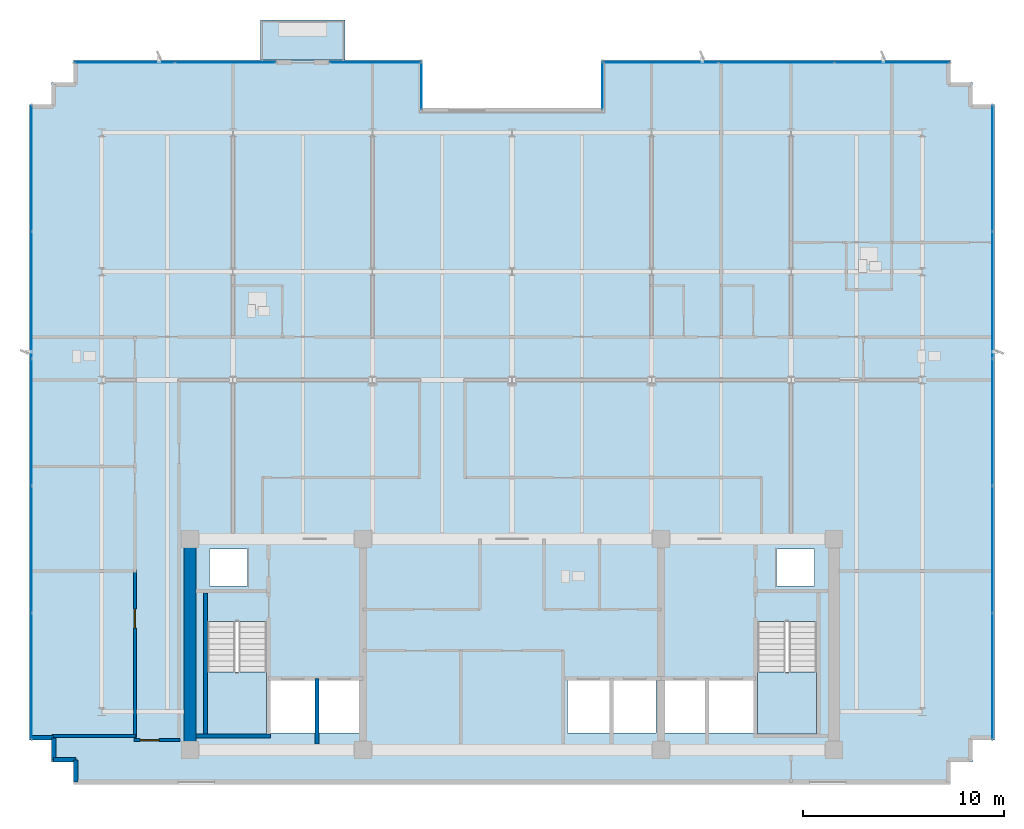
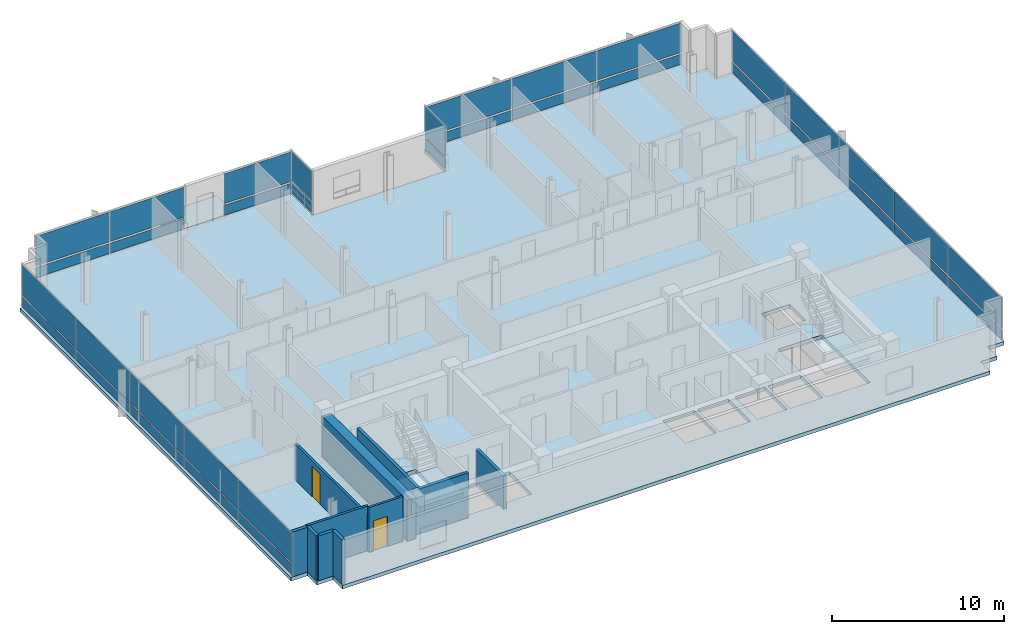
# One storey, part 10 of 17: 36 plates, 11 walls, 4 slabs, 2 doors, 2 openings, 9 elements without a shape of their own.
"""IFC4 building model written with IfcOpenShell, lengths in metres."""

from ifc_helpers import new_model, si_unit, direction, frame, frame_2d, origin, origin_2d, place, context, subcontext, project, spatial, polyline, rectangle, outline, extrude, material, layer, layer_set, type_object, element, fill, aggregate, save


model = new_model("IFC4")

# Units and contexts
model_context = context("Model", 3, precision=1e-05, world=origin(), true_north=direction((0.0, 1.0)))
body_context = subcontext(model_context, "Body", "Model", "MODEL_VIEW")
ifc_project = project(units=[si_unit("LENGTHUNIT", "METRE"), si_unit("AREAUNIT", "SQUARE_METRE"), si_unit("VOLUMEUNIT", "CUBIC_METRE"), si_unit("PLANEANGLEUNIT", "RADIAN"), si_unit("MASSUNIT", "GRAM", prefix="KILO")], contexts=[model_context])

# Site, building, storey
site_placement = place(None, origin())
site = spatial("IfcSite", under=ifc_project, at=site_placement, CompositionType="ELEMENT")
building_placement = place(site_placement, origin())
building = spatial("IfcBuilding", under=site, at=building_placement, Name="Solmavex Isthmus Hotel", CompositionType="ELEMENT")
storey_placement = place(building_placement, frame((0.0, 0.0, 269.550048828125)))
storey = spatial("IfcBuildingStorey", under=building, at=storey_placement, Name="L73", CompositionType="ELEMENT", Elevation=269.550048828125)

# Curtain wall, plates
ifc_material_1 = material(Name="Aluminium alloy 6063-T6", Category="aluminium")
curtain_wall_type = type_object("IfcCurtainWallType", Name="CW-SYS-06", PredefinedType="NOTDEFINED", material=ifc_material_1)
curtain_wall_1_placement = place(storey_placement, origin())
curtain_wall_1 = element("IfcCurtainWall", 1, at=curtain_wall_1_placement, inside=storey, type_object=curtain_wall_type, Name="Stick Curtain Wall CWL-L73-SGW", PredefinedType="NOTDEFINED")
ifc_material_2 = material(Name="Clear low-E laminated glass", Category="glass")
ifc_layer_1 = layer(ifc_material_2, 0.028076171875)
ifc_layer_set_1 = layer_set([ifc_layer_1], Name="Clear low-E laminated glass")
plate_type = type_object("IfcPlateType", Name="CW-SYS-06-PNL", PredefinedType="CURTAIN_PANEL", material=ifc_layer_set_1)
plate_1_placement = place(storey_placement, frame((-4.5, 20.0400390625, 0.114990234375), z_axis=(0.0, 0.0, 1.0), x_axis=(0.0, 1.0, 0.0)))
plate_1 = element("IfcPlate", 2, at=plate_1_placement, type_object=plate_type, Name="CW-06 panel 1.1", PredefinedType="CURTAIN_PANEL", context=body_context, shape_type="SweptSolid", body=[
    extrude(rectangle(XDim=2.360107421875, YDim=0.028076171875, at=origin_2d()), origin(), (0.0, 0.0, 1.0), 0.7275390625),
])
plate_2_placement = place(storey_placement, frame((-4.5, 20.0400390625, 0.95751953125), z_axis=(0.0, 0.0, 1.0), x_axis=(0.0, 1.0, 0.0)))
plate_2 = element("IfcPlate", 3, at=plate_2_placement, type_object=plate_type, Name="CW-06 panel 1.2", PredefinedType="CURTAIN_PANEL", context=body_context, shape_type="SweptSolid", body=[
    extrude(rectangle(XDim=2.360107421875, YDim=0.028076171875, at=origin_2d()), origin(), (0.0, 0.0, 1.0), 2.117431640625),
])
aggregate(curtain_wall_1, [plate_1, plate_2])

curtain_wall_2_placement = place(storey_placement, origin())
curtain_wall_2 = element("IfcCurtainWall", 4, at=curtain_wall_2_placement, inside=storey, type_object=curtain_wall_type, Name="Stick Curtain Wall CWL-L73-SGE", PredefinedType="NOTDEFINED")
plate_3_placement = place(storey_placement, frame((4.5, 20.0400390625, 0.114990234375), z_axis=(0.0, 0.0, 1.0), x_axis=(0.0, 1.0, 0.0)))
plate_3 = element("IfcPlate", 5, at=plate_3_placement, type_object=plate_type, Name="CW-06 panel 1.1", PredefinedType="CURTAIN_PANEL", context=body_context, shape_type="SweptSolid", body=[
    extrude(rectangle(XDim=2.360107421875, YDim=0.028076171875, at=origin_2d()), origin(), (0.0, 0.0, 1.0), 0.7275390625),
])
plate_4_placement = place(storey_placement, frame((4.5, 20.0400390625, 0.95751953125), z_axis=(0.0, 0.0, 1.0), x_axis=(0.0, 1.0, 0.0)))
plate_4 = element("IfcPlate", 6, at=plate_4_placement, type_object=plate_type, Name="CW-06 panel 1.2", PredefinedType="CURTAIN_PANEL", context=body_context, shape_type="SweptSolid", body=[
    extrude(rectangle(XDim=2.360107421875, YDim=0.028076171875, at=origin_2d()), origin(), (0.0, 0.0, 1.0), 2.117431640625),
])
aggregate(curtain_wall_2, [plate_3, plate_4])

curtain_wall_3_placement = place(storey_placement, origin())
curtain_wall_3 = element("IfcCurtainWall", 7, at=curtain_wall_3_placement, inside=storey, type_object=curtain_wall_type, Name="Stick Curtain Wall CWL-L73-N1", PredefinedType="NOTDEFINED")
plate_5_placement = place(storey_placement, frame((-19.260986328125, 21.179931640625, 0.114990234375), z_axis=(0.0, 0.0, 1.0), x_axis=(1.0, 0.0, 0.0)))
plate_5 = element("IfcPlate", 8, at=plate_5_placement, type_object=plate_type, Name="CW-06 panel 1.1", PredefinedType="CURTAIN_PANEL", context=body_context, shape_type="SweptSolid", body=[
    extrude(rectangle(XDim=4.9580078125, YDim=0.028076171875, at=origin_2d()), origin(), (0.0, 0.0, 1.0), 0.7275390625),
])
plate_6_placement = place(storey_placement, frame((-19.260986328125, 21.179931640625, 0.95751953125), z_axis=(0.0, 0.0, 1.0), x_axis=(1.0, 0.0, 0.0)))
plate_6 = element("IfcPlate", 9, at=plate_6_placement, type_object=plate_type, Name="CW-06 panel 1.2", PredefinedType="CURTAIN_PANEL", context=body_context, shape_type="SweptSolid", body=[
    extrude(rectangle(XDim=4.9580078125, YDim=0.028076171875, at=origin_2d()), origin(), (0.0, 0.0, 1.0), 2.117431640625),
])
plate_7_placement = place(storey_placement, frame((-14.242919921875, 21.179931640625, 0.114990234375), z_axis=(0.0, 0.0, 1.0), x_axis=(1.0, 0.0, 0.0)))
plate_7 = element("IfcPlate", 10, at=plate_7_placement, type_object=plate_type, Name="CW-06 panel 2.1", PredefinedType="CURTAIN_PANEL", context=body_context, shape_type="SweptSolid", body=[
    extrude(rectangle(XDim=4.9580078125, YDim=0.028076171875, at=origin_2d()), origin(), (0.0, 0.0, 1.0), 0.7275390625),
])
plate_8_placement = place(storey_placement, frame((-14.242919921875, 21.179931640625, 0.95751953125), z_axis=(0.0, 0.0, 1.0), x_axis=(1.0, 0.0, 0.0)))
plate_8 = element("IfcPlate", 11, at=plate_8_placement, type_object=plate_type, Name="CW-06 panel 2.2", PredefinedType="CURTAIN_PANEL", context=body_context, shape_type="SweptSolid", body=[
    extrude(rectangle(XDim=4.9580078125, YDim=0.028076171875, at=origin_2d()), origin(), (0.0, 0.0, 1.0), 2.117431640625),
])
aggregate(curtain_wall_3, [plate_5, plate_6, plate_7, plate_8])

curtain_wall_4_placement = place(storey_placement, origin())
curtain_wall_4 = element("IfcCurtainWall", 12, at=curtain_wall_4_placement, inside=storey, type_object=curtain_wall_type, Name="Stick Curtain Wall CWL-L73-N2", PredefinedType="NOTDEFINED")
plate_9_placement = place(storey_placement, frame((-6.802001953125, 21.179931640625, 0.114990234375), z_axis=(0.0, 0.0, 1.0), x_axis=(1.0, 0.0, 0.0)))
plate_9 = element("IfcPlate", 13, at=plate_9_placement, type_object=plate_type, Name="CW-06 panel 1.1", PredefinedType="CURTAIN_PANEL", context=body_context, shape_type="SweptSolid", body=[
    extrude(rectangle(XDim=4.48388671875, YDim=0.028076171875, at=origin_2d()), origin(), (0.0, 0.0, 1.0), 0.7275390625),
])
plate_10_placement = place(storey_placement, frame((-6.802001953125, 21.179931640625, 0.95751953125), z_axis=(0.0, 0.0, 1.0), x_axis=(1.0, 0.0, 0.0)))
plate_10 = element("IfcPlate", 14, at=plate_10_placement, type_object=plate_type, Name="CW-06 panel 1.2", PredefinedType="CURTAIN_PANEL", context=body_context, shape_type="SweptSolid", body=[
    extrude(rectangle(XDim=4.48388671875, YDim=0.028076171875, at=origin_2d()), origin(), (0.0, 0.0, 1.0), 2.117431640625),
])
aggregate(curtain_wall_4, [plate_9, plate_10])

curtain_wall_5_placement = place(storey_placement, origin())
curtain_wall_5 = element("IfcCurtainWall", 15, at=curtain_wall_5_placement, inside=storey, type_object=curtain_wall_type, Name="Stick Curtain Wall CWL-L73-N3", PredefinedType="NOTDEFINED")
plate_11_placement = place(storey_placement, frame((7.3984375, 21.179931640625, 0.114990234375), z_axis=(0.0, 0.0, 1.0), x_axis=(1.0, 0.0, 0.0)))
plate_11 = element("IfcPlate", 16, at=plate_11_placement, type_object=plate_type, Name="CW-06 panel 1.1", PredefinedType="CURTAIN_PANEL", context=body_context, shape_type="SweptSolid", body=[
    extrude(rectangle(XDim=5.6767578125, YDim=0.028076171875, at=origin_2d()), origin(), (0.0, 0.0, 1.0), 0.7275390625),
])
plate_12_placement = place(storey_placement, frame((7.3984375, 21.179931640625, 0.95751953125), z_axis=(0.0, 0.0, 1.0), x_axis=(1.0, 0.0, 0.0)))
plate_12 = element("IfcPlate", 17, at=plate_12_placement, type_object=plate_type, Name="CW-06 panel 1.2", PredefinedType="CURTAIN_PANEL", context=body_context, shape_type="SweptSolid", body=[
    extrude(rectangle(XDim=5.6767578125, YDim=0.028076171875, at=origin_2d()), origin(), (0.0, 0.0, 1.0), 2.117431640625),
])
plate_13_placement = place(storey_placement, frame((13.14990234375, 21.179931640625, 0.114990234375), z_axis=(0.0, 0.0, 1.0), x_axis=(1.0, 0.0, 0.0)))
plate_13 = element("IfcPlate", 18, at=plate_13_placement, type_object=plate_type, Name="CW-06 panel 2.1", PredefinedType="CURTAIN_PANEL", context=body_context, shape_type="SweptSolid", body=[
    extrude(rectangle(XDim=5.706787109375, YDim=0.028076171875, at=origin_2d()), origin(), (0.0, 0.0, 1.0), 0.7275390625),
])
plate_14_placement = place(storey_placement, frame((13.14990234375, 21.179931640625, 0.95751953125), z_axis=(0.0, 0.0, 1.0), x_axis=(1.0, 0.0, 0.0)))
plate_14 = element("IfcPlate", 19, at=plate_14_placement, type_object=plate_type, Name="CW-06 panel 2.2", PredefinedType="CURTAIN_PANEL", context=body_context, shape_type="SweptSolid", body=[
    extrude(rectangle(XDim=5.706787109375, YDim=0.028076171875, at=origin_2d()), origin(), (0.0, 0.0, 1.0), 2.117431640625),
])
plate_15_placement = place(storey_placement, frame((18.901611328125, 21.179931640625, 0.114990234375), z_axis=(0.0, 0.0, 1.0), x_axis=(1.0, 0.0, 0.0)))
plate_15 = element("IfcPlate", 20, at=plate_15_placement, type_object=plate_type, Name="CW-06 panel 3.1", PredefinedType="CURTAIN_PANEL", context=body_context, shape_type="SweptSolid", body=[
    extrude(rectangle(XDim=5.6767578125, YDim=0.028076171875, at=origin_2d()), origin(), (0.0, 0.0, 1.0), 0.7275390625),
])
plate_16_placement = place(storey_placement, frame((18.901611328125, 21.179931640625, 0.95751953125), z_axis=(0.0, 0.0, 1.0), x_axis=(1.0, 0.0, 0.0)))
plate_16 = element("IfcPlate", 21, at=plate_16_placement, type_object=plate_type, Name="CW-06 panel 3.2", PredefinedType="CURTAIN_PANEL", context=body_context, shape_type="SweptSolid", body=[
    extrude(rectangle(XDim=5.6767578125, YDim=0.028076171875, at=origin_2d()), origin(), (0.0, 0.0, 1.0), 2.117431640625),
])
aggregate(curtain_wall_5, [plate_11, plate_12, plate_13, plate_14, plate_15, plate_16])

curtain_wall_6_placement = place(storey_placement, origin())
curtain_wall_6 = element("IfcCurtainWall", 22, at=curtain_wall_6_placement, inside=storey, type_object=curtain_wall_type, Name="Stick Curtain Wall CWL-L73-W1", PredefinedType="NOTDEFINED")
plate_17_placement = place(storey_placement, frame((-23.8798828125, -9.324951171875, 0.114990234375), z_axis=(0.0, 0.0, 1.0), x_axis=(0.0, 1.0, 0.0)))
plate_17 = element("IfcPlate", 23, at=plate_17_placement, type_object=plate_type, Name="CW-06 panel 1.1", PredefinedType="CURTAIN_PANEL", context=body_context, shape_type="SweptSolid", body=[
    extrude(rectangle(XDim=6.22998046875, YDim=0.028076171875, at=origin_2d()), origin(), (0.0, 0.0, 1.0), 0.7275390625),
])
plate_18_placement = place(storey_placement, frame((-23.8798828125, -9.324951171875, 0.95751953125), z_axis=(0.0, 0.0, 1.0), x_axis=(0.0, 1.0, 0.0)))
plate_18 = element("IfcPlate", 24, at=plate_18_placement, type_object=plate_type, Name="CW-06 panel 1.2", PredefinedType="CURTAIN_PANEL", context=body_context, shape_type="SweptSolid", body=[
    extrude(rectangle(XDim=6.22998046875, YDim=0.028076171875, at=origin_2d()), origin(), (0.0, 0.0, 1.0), 2.117431640625),
])
plate_19_placement = place(storey_placement, frame((-23.8798828125, -3.02001953125, 0.114990234375), z_axis=(0.0, 0.0, 1.0), x_axis=(0.0, 1.0, 0.0)))
plate_19 = element("IfcPlate", 25, at=plate_19_placement, type_object=plate_type, Name="CW-06 panel 2.1", PredefinedType="CURTAIN_PANEL", context=body_context, shape_type="SweptSolid", body=[
    extrude(rectangle(XDim=6.260009765625, YDim=0.028076171875, at=origin_2d()), origin(), (0.0, 0.0, 1.0), 0.7275390625),
])
plate_20_placement = place(storey_placement, frame((-23.8798828125, -3.02001953125, 0.95751953125), z_axis=(0.0, 0.0, 1.0), x_axis=(0.0, 1.0, 0.0)))
plate_20 = element("IfcPlate", 26, at=plate_20_placement, type_object=plate_type, Name="CW-06 panel 2.2", PredefinedType="CURTAIN_PANEL", context=body_context, shape_type="SweptSolid", body=[
    extrude(rectangle(XDim=6.260009765625, YDim=0.028076171875, at=origin_2d()), origin(), (0.0, 0.0, 1.0), 2.117431640625),
])
plate_21_placement = place(storey_placement, frame((-23.8798828125, 3.300048828125, 0.114990234375), z_axis=(0.0, 0.0, 1.0), x_axis=(0.0, 1.0, 0.0)))
plate_21 = element("IfcPlate", 27, at=plate_21_placement, type_object=plate_type, Name="CW-06 panel 3.1", PredefinedType="CURTAIN_PANEL", context=body_context, shape_type="SweptSolid", body=[
    extrude(rectangle(XDim=6.260009765625, YDim=0.028076171875, at=origin_2d()), origin(), (0.0, 0.0, 1.0), 0.7275390625),
])
plate_22_placement = place(storey_placement, frame((-23.8798828125, 3.300048828125, 0.95751953125), z_axis=(0.0, 0.0, 1.0), x_axis=(0.0, 1.0, 0.0)))
plate_22 = element("IfcPlate", 28, at=plate_22_placement, type_object=plate_type, Name="CW-06 panel 3.2", PredefinedType="CURTAIN_PANEL", context=body_context, shape_type="SweptSolid", body=[
    extrude(rectangle(XDim=6.260009765625, YDim=0.028076171875, at=origin_2d()), origin(), (0.0, 0.0, 1.0), 2.117431640625),
])
plate_23_placement = place(storey_placement, frame((-23.8798828125, 9.6201171875, 0.114990234375), z_axis=(0.0, 0.0, 1.0), x_axis=(0.0, 1.0, 0.0)))
plate_23 = element("IfcPlate", 29, at=plate_23_placement, type_object=plate_type, Name="CW-06 panel 4.1", PredefinedType="CURTAIN_PANEL", context=body_context, shape_type="SweptSolid", body=[
    extrude(rectangle(XDim=6.260009765625, YDim=0.028076171875, at=origin_2d()), origin(), (0.0, 0.0, 1.0), 0.7275390625),
])
plate_24_placement = place(storey_placement, frame((-23.8798828125, 9.6201171875, 0.95751953125), z_axis=(0.0, 0.0, 1.0), x_axis=(0.0, 1.0, 0.0)))
plate_24 = element("IfcPlate", 30, at=plate_24_placement, type_object=plate_type, Name="CW-06 panel 4.2", PredefinedType="CURTAIN_PANEL", context=body_context, shape_type="SweptSolid", body=[
    extrude(rectangle(XDim=6.260009765625, YDim=0.028076171875, at=origin_2d()), origin(), (0.0, 0.0, 1.0), 2.117431640625),
])
plate_25_placement = place(storey_placement, frame((-23.8798828125, 15.925048828125, 0.114990234375), z_axis=(0.0, 0.0, 1.0), x_axis=(0.0, 1.0, 0.0)))
plate_25 = element("IfcPlate", 31, at=plate_25_placement, type_object=plate_type, Name="CW-06 panel 5.1", PredefinedType="CURTAIN_PANEL", context=body_context, shape_type="SweptSolid", body=[
    extrude(rectangle(XDim=6.22998046875, YDim=0.028076171875, at=origin_2d()), origin(), (0.0, 0.0, 1.0), 0.7275390625),
])
plate_26_placement = place(storey_placement, frame((-23.8798828125, 15.925048828125, 0.95751953125), z_axis=(0.0, 0.0, 1.0), x_axis=(0.0, 1.0, 0.0)))
plate_26 = element("IfcPlate", 32, at=plate_26_placement, type_object=plate_type, Name="CW-06 panel 5.2", PredefinedType="CURTAIN_PANEL", context=body_context, shape_type="SweptSolid", body=[
    extrude(rectangle(XDim=6.22998046875, YDim=0.028076171875, at=origin_2d()), origin(), (0.0, 0.0, 1.0), 2.117431640625),
])
aggregate(curtain_wall_6, [plate_17, plate_18, plate_19, plate_20, plate_21, plate_22, plate_23, plate_24, plate_25, plate_26])

curtain_wall_7_placement = place(storey_placement, origin())
curtain_wall_7 = element("IfcCurtainWall", 33, at=curtain_wall_7_placement, inside=storey, type_object=curtain_wall_type, Name="Stick Curtain Wall CWL-L73-E1", PredefinedType="NOTDEFINED")
plate_27_placement = place(storey_placement, frame((23.8798828125, -9.324951171875, 0.114990234375), z_axis=(0.0, 0.0, 1.0), x_axis=(0.0, 1.0, 0.0)))
plate_27 = element("IfcPlate", 34, at=plate_27_placement, type_object=plate_type, Name="CW-06 panel 1.1", PredefinedType="CURTAIN_PANEL", context=body_context, shape_type="SweptSolid", body=[
    extrude(rectangle(XDim=6.22998046875, YDim=0.028076171875, at=origin_2d()), origin(), (0.0, 0.0, 1.0), 0.7275390625),
])
plate_28_placement = place(storey_placement, frame((23.8798828125, -9.324951171875, 0.95751953125), z_axis=(0.0, 0.0, 1.0), x_axis=(0.0, 1.0, 0.0)))
plate_28 = element("IfcPlate", 35, at=plate_28_placement, type_object=plate_type, Name="CW-06 panel 1.2", PredefinedType="CURTAIN_PANEL", context=body_context, shape_type="SweptSolid", body=[
    extrude(rectangle(XDim=6.22998046875, YDim=0.028076171875, at=origin_2d()), origin(), (0.0, 0.0, 1.0), 2.117431640625),
])
plate_29_placement = place(storey_placement, frame((23.8798828125, -3.02001953125, 0.114990234375), z_axis=(0.0, 0.0, 1.0), x_axis=(0.0, 1.0, 0.0)))
plate_29 = element("IfcPlate", 36, at=plate_29_placement, type_object=plate_type, Name="CW-06 panel 2.1", PredefinedType="CURTAIN_PANEL", context=body_context, shape_type="SweptSolid", body=[
    extrude(rectangle(XDim=6.260009765625, YDim=0.028076171875, at=origin_2d()), origin(), (0.0, 0.0, 1.0), 0.7275390625),
])
plate_30_placement = place(storey_placement, frame((23.8798828125, -3.02001953125, 0.95751953125), z_axis=(0.0, 0.0, 1.0), x_axis=(0.0, 1.0, 0.0)))
plate_30 = element("IfcPlate", 37, at=plate_30_placement, type_object=plate_type, Name="CW-06 panel 2.2", PredefinedType="CURTAIN_PANEL", context=body_context, shape_type="SweptSolid", body=[
    extrude(rectangle(XDim=6.260009765625, YDim=0.028076171875, at=origin_2d()), origin(), (0.0, 0.0, 1.0), 2.117431640625),
])
plate_31_placement = place(storey_placement, frame((23.8798828125, 3.300048828125, 0.114990234375), z_axis=(0.0, 0.0, 1.0), x_axis=(0.0, 1.0, 0.0)))
plate_31 = element("IfcPlate", 38, at=plate_31_placement, type_object=plate_type, Name="CW-06 panel 3.1", PredefinedType="CURTAIN_PANEL", context=body_context, shape_type="SweptSolid", body=[
    extrude(rectangle(XDim=6.260009765625, YDim=0.028076171875, at=origin_2d()), origin(), (0.0, 0.0, 1.0), 0.7275390625),
])
plate_32_placement = place(storey_placement, frame((23.8798828125, 3.300048828125, 0.95751953125), z_axis=(0.0, 0.0, 1.0), x_axis=(0.0, 1.0, 0.0)))
plate_32 = element("IfcPlate", 39, at=plate_32_placement, type_object=plate_type, Name="CW-06 panel 3.2", PredefinedType="CURTAIN_PANEL", context=body_context, shape_type="SweptSolid", body=[
    extrude(rectangle(XDim=6.260009765625, YDim=0.028076171875, at=origin_2d()), origin(), (0.0, 0.0, 1.0), 2.117431640625),
])
plate_33_placement = place(storey_placement, frame((23.8798828125, 9.6201171875, 0.114990234375), z_axis=(0.0, 0.0, 1.0), x_axis=(0.0, 1.0, 0.0)))
plate_33 = element("IfcPlate", 40, at=plate_33_placement, type_object=plate_type, Name="CW-06 panel 4.1", PredefinedType="CURTAIN_PANEL", context=body_context, shape_type="SweptSolid", body=[
    extrude(rectangle(XDim=6.260009765625, YDim=0.028076171875, at=origin_2d()), origin(), (0.0, 0.0, 1.0), 0.7275390625),
])
plate_34_placement = place(storey_placement, frame((23.8798828125, 9.6201171875, 0.95751953125), z_axis=(0.0, 0.0, 1.0), x_axis=(0.0, 1.0, 0.0)))
plate_34 = element("IfcPlate", 41, at=plate_34_placement, type_object=plate_type, Name="CW-06 panel 4.2", PredefinedType="CURTAIN_PANEL", context=body_context, shape_type="SweptSolid", body=[
    extrude(rectangle(XDim=6.260009765625, YDim=0.028076171875, at=origin_2d()), origin(), (0.0, 0.0, 1.0), 2.117431640625),
])
plate_35_placement = place(storey_placement, frame((23.8798828125, 15.925048828125, 0.114990234375), z_axis=(0.0, 0.0, 1.0), x_axis=(0.0, 1.0, 0.0)))
plate_35 = element("IfcPlate", 42, at=plate_35_placement, type_object=plate_type, Name="CW-06 panel 5.1", PredefinedType="CURTAIN_PANEL", context=body_context, shape_type="SweptSolid", body=[
    extrude(rectangle(XDim=6.22998046875, YDim=0.028076171875, at=origin_2d()), origin(), (0.0, 0.0, 1.0), 0.7275390625),
])
plate_36_placement = place(storey_placement, frame((23.8798828125, 15.925048828125, 0.95751953125), z_axis=(0.0, 0.0, 1.0), x_axis=(0.0, 1.0, 0.0)))
plate_36 = element("IfcPlate", 43, at=plate_36_placement, type_object=plate_type, Name="CW-06 panel 5.2", PredefinedType="CURTAIN_PANEL", context=body_context, shape_type="SweptSolid", body=[
    extrude(rectangle(XDim=6.22998046875, YDim=0.028076171875, at=origin_2d()), origin(), (0.0, 0.0, 1.0), 2.117431640625),
])
aggregate(curtain_wall_7, [plate_27, plate_28, plate_29, plate_30, plate_31, plate_32, plate_33, plate_34, plate_35, plate_36])

# Slabs
ifc_material_3 = material(Name="Concrete C40/50", Category="concrete")
ifc_layer_2 = layer(ifc_material_3, 0.239990234375)
ifc_layer_set_2 = layer_set([ifc_layer_2], Name="Concrete C40/50")
slab_type_1 = type_object("IfcSlabType", Name="SLAB-BALC-240", PredefinedType="FLOOR", material=ifc_layer_set_2)
slab_1_placement = place(storey_placement, frame((0.0, 0.0, -0.239990234375)))
element("IfcSlab", 44, at=slab_1_placement, inside=storey, type_object=slab_type_1, Name="Tree-Planter Balcony Slab L73-B1", PredefinedType="FLOOR", context=body_context, shape_type="SweptSolid", body=[
    extrude(outline(polyline([(-12.50390625, 21.31494140625), (-8.303955078125, 21.31494140625), (-8.303955078125, 23.300048828125), (-12.50390625, 23.300048828125), (-12.50390625, 21.31494140625)])), origin(), (0.0, 0.0, 1.0), 0.239990234375),
])
ifc_layer_3 = layer(ifc_material_3, 0.260009765625)
ifc_layer_set_3 = layer_set([ifc_layer_3], Name="Concrete C40/50")
slab_type_2 = type_object("IfcSlabType", Name="SLAB-TYP-260", PredefinedType="FLOOR", material=ifc_layer_set_3)
slab_2_placement = place(storey_placement, frame((0.0, 0.0, -0.260009765625)))
element("IfcSlab", 45, at=slab_2_placement, inside=storey, type_object=slab_type_2, Name="Tower Structural Floor Slab L73", PredefinedType="FLOOR", context=body_context, shape_type="SweptSolid", body=[
    extrude(outline(polyline([(4.5, 21.300048828125), (4.5, 18.800048828125), (-4.5, 18.800048828125), (-4.5, 21.300048828125), (-20.699951171875, 21.300048828125), (-21.800048828125, 21.300048828125), (-21.800048828125, 20.199951171875), (-22.89990234375, 20.199951171875), (-22.89990234375, 19.10009765625), (-24.0, 19.10009765625), (-24.0, 18.0), (-24.0, -11.39990234375), (-24.0, -12.5), (-22.89990234375, -12.5), (-22.89990234375, -13.60009765625), (-21.800048828125, -13.60009765625), (-21.800048828125, -14.699951171875), (-20.699951171875, -14.699951171875), (20.699951171875, -14.699951171875), (21.800048828125, -14.699951171875), (21.800048828125, -13.60009765625), (22.89990234375, -13.60009765625), (22.89990234375, -12.5), (24.0, -12.5), (24.0, -11.39990234375), (24.0, 18.0), (24.0, 19.10009765625), (22.89990234375, 19.10009765625), (22.89990234375, 20.199951171875), (21.800048828125, 20.199951171875), (21.800048828125, 21.300048828125), (20.699951171875, 21.300048828125), (4.5, 21.300048828125)]), holes=[polyline([(-15.14990234375, -6.617919921875), (-15.14990234375, -12.199951171875), (-12.199951171875, -12.199951171875), (-12.199951171875, -6.617919921875), (-15.14990234375, -6.617919921875)]), polyline([(12.199951171875, -6.617919921875), (12.199951171875, -12.199951171875), (15.14990234375, -12.199951171875), (15.14990234375, -6.617919921875), (12.199951171875, -6.617919921875)]), polyline([(-12.0, -12.14990234375), (-9.800048828125, -12.14990234375), (-9.800048828125, -9.550048828125), (-12.0, -9.550048828125), (-12.0, -12.14990234375)]), polyline([(9.800048828125, -12.14990234375), (12.0, -12.14990234375), (12.0, -9.550048828125), (9.800048828125, -9.550048828125), (9.800048828125, -12.14990234375)]), polyline([(-9.60009765625, -12.14990234375), (-7.60009765625, -12.14990234375), (-7.60009765625, -9.550048828125), (-9.60009765625, -9.550048828125), (-9.60009765625, -12.14990234375)]), polyline([(7.60009765625, -12.14990234375), (9.60009765625, -12.14990234375), (9.60009765625, -9.550048828125), (7.60009765625, -9.550048828125), (7.60009765625, -12.14990234375)]), polyline([(2.75, -12.14990234375), (4.85009765625, -12.14990234375), (4.85009765625, -9.550048828125), (2.75, -9.550048828125), (2.75, -12.14990234375)]), polyline([(5.050048828125, -12.14990234375), (7.14990234375, -12.14990234375), (7.14990234375, -9.550048828125), (5.050048828125, -9.550048828125), (5.050048828125, -12.14990234375)]), polyline([(-15.050048828125, -4.85009765625), (-13.14990234375, -4.85009765625), (-13.14990234375, -3.0), (-15.050048828125, -3.0), (-15.050048828125, -4.85009765625)]), polyline([(13.14990234375, -4.85009765625), (15.050048828125, -4.85009765625), (15.050048828125, -3.0), (13.14990234375, -3.0), (13.14990234375, -4.85009765625)])]), origin(), (0.0, 0.0, 1.0), 0.260009765625),
])

# Stair, slab
stair_type_1 = type_object("IfcStairType", Name="STR-ST-1", PredefinedType="HALF_TURN_STAIR", material=ifc_material_3)
stair_1_placement = place(storey_placement, origin())
stair_1 = element("IfcStair", 46, at=stair_1_placement, inside=storey, type_object=stair_type_1, Name="L73 Protected Exit Stair ST-1", PredefinedType="HALF_TURN_STAIR")
ifc_layer_4 = layer(ifc_material_3, 0.219970703125)
ifc_layer_set_4 = layer_set([ifc_layer_4], Name="Concrete C40/50")
slab_type_3 = type_object("IfcSlabType", Name="SLD-ST-1", PredefinedType="LANDING", material=ifc_layer_set_4)
slab_3_placement = place(storey_placement, frame((0.0, 0.0, 1.52490234375)))
slab_3 = element("IfcSlab", 47, at=slab_3_placement, type_object=slab_type_3, Name="ST-1 landing 1", PredefinedType="LANDING", context=body_context, shape_type="SweptSolid", body=[
    extrude(outline(polyline([(-15.14990234375, -9.1201171875), (-15.14990234375, -12.199951171875), (-12.199951171875, -12.199951171875), (-12.199951171875, -9.1201171875), (-15.14990234375, -9.1201171875)])), origin(), (0.0, 0.0, 1.0), 0.199951171875),
])
aggregate(stair_1, [slab_3])

stair_type_2 = type_object("IfcStairType", Name="STR-ST-2", PredefinedType="HALF_TURN_STAIR", material=ifc_material_3)
stair_2_placement = place(storey_placement, origin())
stair_2 = element("IfcStair", 48, at=stair_2_placement, inside=storey, type_object=stair_type_2, Name="L73 Protected Exit Stair ST-2", PredefinedType="HALF_TURN_STAIR")
ifc_layer_5 = layer(ifc_material_3, 0.219970703125)
ifc_layer_set_5 = layer_set([ifc_layer_5], Name="Concrete C40/50")
slab_type_4 = type_object("IfcSlabType", Name="SLD-ST-2", PredefinedType="LANDING", material=ifc_layer_set_5)
slab_4_placement = place(storey_placement, frame((0.0, 0.0, 1.52490234375)))
slab_4 = element("IfcSlab", 49, at=slab_4_placement, type_object=slab_type_4, Name="ST-2 landing 1", PredefinedType="LANDING", context=body_context, shape_type="SweptSolid", body=[
    extrude(outline(polyline([(12.199951171875, -9.1201171875), (12.199951171875, -12.199951171875), (15.14990234375, -12.199951171875), (15.14990234375, -9.1201171875), (12.199951171875, -9.1201171875)])), origin(), (0.0, 0.0, 1.0), 0.199951171875),
])
aggregate(stair_2, [slab_4])

# Walls
ifc_material_4 = material(Name="Precast Concrete C40/50", Category="concrete")
ifc_layer_6 = layer(ifc_material_4, 0.25)
ifc_layer_set_6 = layer_set([ifc_layer_6], Name="Precast Concrete C40/50")
wall_type_1 = type_object("IfcWallType", Name="EW-TWR-250", PredefinedType="STANDARD", material=ifc_layer_set_6)
for number, where, z_axis, x_axis, name in (
    (50, (-21.68994140625, -14.590087890625, 0.0), (0.0, 0.0, 1.0), (0.0, 1.0, 0.0), "Serrated Corner Facade Panel L73-01"),
    (51, (-21.68994140625, -13.489990234375, 0.0), (0.0, 0.0, 1.0), (-1.0, 0.0, 0.0), "Serrated Corner Facade Panel L73-02"),
    (52, (-22.7900390625, -13.489990234375, 0.0), (0.0, 0.0, 1.0), (0.0, 1.0, 0.0), "Serrated Corner Facade Panel L73-03"),
):
    element("IfcWall", number, at=place(storey_placement, frame(where, z_axis=z_axis, x_axis=x_axis)), inside=storey, type_object=wall_type_1, Name=name, PredefinedType="STANDARD", context=body_context, shape_type="SweptSolid", body=[
        extrude(rectangle(XDim=1.10009765625, YDim=0.219970703125, at=frame_2d((0.550048828125, 0.0))), origin(), (0.0, 0.0, 1.0), 3.18994140625),
    ])
wall_1_placement = place(storey_placement, frame((-22.7900390625, -12.389892578125, 0.0), z_axis=(0.0, 0.0, 1.0), x_axis=(-1.0, 0.0, 0.0)))
element("IfcWall", 53, at=wall_1_placement, inside=storey, type_object=wall_type_1, Name="Serrated Corner Facade Panel L73-04", PredefinedType="STANDARD", context=body_context, shape_type="SweptSolid", body=[
    extrude(rectangle(XDim=1.099853515625, YDim=0.219970703125, at=frame_2d((0.5498046875, 0.0))), origin(), (0.0, 0.0, 1.0), 3.18994140625),
])
ifc_material_5 = material(Name="Gypsum plasterboard lining", Category="gypsum")
ifc_layer_7 = layer(ifc_material_5, 0.159912109375)
ifc_layer_set_7 = layer_set([ifc_layer_7], Name="Gypsum plasterboard lining")
wall_type_2 = type_object("IfcWallType", Name="IW-COMP-160", PredefinedType="PARTITIONING", material=ifc_layer_set_7)
wall_2_placement = place(storey_placement, frame((-18.7099609375, -12.300048828125, 0.0), z_axis=(0.0, 0.0, 1.0), x_axis=(-1.0, 0.0, 0.0)))
element("IfcWall", 54, at=wall_2_placement, inside=storey, type_object=wall_type_2, Name="Interior Partition Wall W-L73-P070", PredefinedType="PARTITIONING", context=body_context, shape_type="SweptSolid", body=[
    extrude(rectangle(XDim=4.162109375, YDim=0.159912109375, at=frame_2d((2.0810546875, 0.0))), origin(), (0.0, 0.0, 1.0), 3.18994140625),
])

# Wall, opening, door
ifc_layer_8 = layer(ifc_material_5, 0.14990234375)
ifc_layer_set_8 = layer_set([ifc_layer_8], Name="Gypsum plasterboard lining")
wall_type_3 = type_object("IfcWallType", Name="IW-CORR-150", PredefinedType="PARTITIONING", material=ifc_layer_set_8)
wall_3_placement = place(storey_placement, frame((-18.75, -12.382080078125, 0.0), z_axis=(0.0, 0.0, 1.0), x_axis=(0.0, 1.0, 0.0)))
wall_3 = element("IfcWall", 55, at=wall_3_placement, inside=storey, type_object=wall_type_3, Name="Interior Partition Wall W-L73-P016", PredefinedType="PARTITIONING", context=body_context, shape_type="SweptSolid", body=[
    extrude(rectangle(XDim=8.364013671875, YDim=0.14990234375, at=frame_2d((4.18212890625, 0.0))), origin(), (0.0, 0.0, 1.0), 2.557373046875),
])
opening_1_placement = place(wall_3_placement, frame((5.446533203125, 0.0, 0.0)))
opening_1 = element("IfcOpeningElement", 56, at=opening_1_placement, cuts=wall_3, Name="Opening ID-C095", PredefinedType="OPENING", context=body_context, shape_type="SweptSolid", body=[
    extrude(rectangle(XDim=0.949951171875, YDim=2.14990234375, at=frame_2d((0.47509765625, 1.074951171875))), frame((0.0, 0.0849609375, 0.0), z_axis=(0.0, -1.0, 0.0), x_axis=(1.0, 0.0, 0.0)), (0.0, 0.0, 1.0), 0.169921875),
])
ifc_material_6 = material(Name="Hardwood timber", Category="wood")
door_type = type_object("IfcDoorType", Name="IDR-FD60-0950", OperationType="NOTDEFINED", PredefinedType="DOOR", material=ifc_material_6)
door_1_placement = place(opening_1_placement, origin())
door_1 = element("IfcDoor", 57, at=door_1_placement, inside=storey, type_object=door_type, Name="Executive Hospitality Lounge Door L73-18", OperationType="SINGLE_SWING_RIGHT", OverallHeight=2.14990234375, OverallWidth=0.949951171875, PredefinedType="DOOR", context=body_context, shape_type="SweptSolid", body=[
    extrude(rectangle(XDim=0.949951171875, YDim=2.14990234375, at=frame_2d((0.47509765625, 1.074951171875))), frame((0.0, 0.02490234375, 0.0), z_axis=(0.0, -1.0, 0.0), x_axis=(1.0, 0.0, 0.0)), (0.0, 0.0, 1.0), 0.050048828125),
])
fill(opening_1, door_1)

wall_4_placement = place(storey_placement, frame((-16.510009765625, -12.5, 0.0), z_axis=(0.0, 0.0, 1.0), x_axis=(-1.0, 0.0, 0.0)))
wall_4 = element("IfcWall", 58, at=wall_4_placement, inside=storey, type_object=wall_type_3, Name="Interior Partition Wall W-L73-P023", PredefinedType="PARTITIONING", context=body_context, shape_type="SweptSolid", body=[
    extrude(rectangle(XDim=2.280029296875, YDim=0.14990234375, at=frame_2d((1.14013671875, 0.0))), origin(), (0.0, 0.0, 1.0), 3.18994140625),
])
opening_2_placement = place(wall_4_placement, frame((1.03466796875, 0.0, 0.0)))
opening_2 = element("IfcOpeningElement", 59, at=opening_2_placement, cuts=wall_4, Name="Opening ID-C095", PredefinedType="OPENING", context=body_context, shape_type="SweptSolid", body=[
    extrude(rectangle(XDim=0.949951171875, YDim=2.14990234375, at=frame_2d((0.47509765625, 1.074951171875))), frame((0.0, 0.0849609375, 0.0), z_axis=(0.0, -1.0, 0.0), x_axis=(1.0, 0.0, 0.0)), (0.0, 0.0, 1.0), 0.169921875),
])
door_2_placement = place(opening_2_placement, frame((0.949951171875, 0.0, 0.0), z_axis=(0.0, 0.0, 1.0), x_axis=(-1.0, 0.0, 0.0)))
door_2 = element("IfcDoor", 60, at=door_2_placement, inside=storey, type_object=door_type, Name="Executive Boardroom Door L73-20", OperationType="SINGLE_SWING_RIGHT", OverallHeight=2.14990234375, OverallWidth=0.949951171875, PredefinedType="DOOR", context=body_context, shape_type="SweptSolid", body=[
    extrude(rectangle(XDim=0.949951171875, YDim=2.14990234375, at=frame_2d((0.47509765625, 1.074951171875))), frame((0.0, 0.02490234375, 0.0), z_axis=(0.0, -1.0, 0.0), x_axis=(1.0, 0.0, 0.0)), (0.0, 0.0, 1.0), 0.050048828125),
])
fill(opening_2, door_2)

# Walls
ifc_layer_9 = layer(ifc_material_3, 0.199951171875)
ifc_layer_set_9 = layer_set([ifc_layer_9], Name="Concrete C40/50")
wall_type_4 = type_object("IfcWallType", Name="IW-SHAFT-200", PredefinedType="PARTITIONING", material=ifc_layer_set_9)
wall_5_placement = place(storey_placement, frame((-9.699951171875, -12.699951171875, 0.0), z_axis=(0.0, 0.0, 1.0), x_axis=(0.0, 1.0, 0.0)))
element("IfcWall", 61, at=wall_5_placement, inside=storey, type_object=wall_type_4, Name="Interior Partition Wall W-L73-FFLW-M", PredefinedType="PARTITIONING", context=body_context, shape_type="SweptSolid", body=[
    extrude(rectangle(XDim=3.25, YDim=0.199951171875, at=frame_2d((1.625, 0.0))), origin(), (0.0, 0.0, 1.0), 2.324951171875),
])
ifc_material_7 = material(Name="Concrete C50/60", Category="concrete")
ifc_layer_10 = layer(ifc_material_7, 0.60009765625)
ifc_layer_set_10 = layer_set([ifc_layer_10], Name="Concrete C50/60")
wall_type_5 = type_object("IfcWallType", Name="WALL-CW-600", PredefinedType="SHEAR", material=ifc_layer_set_10)
wall_6_placement = place(storey_placement, frame((-16.0, -12.699951171875, 0.0), z_axis=(0.0, 0.0, 1.0), x_axis=(0.0, 1.0, 0.0)))
element("IfcWall", 62, at=wall_6_placement, inside=storey, type_object=wall_type_5, Name="Core Shear Wall West L73", PredefinedType="SHEAR", context=body_context, shape_type="SweptSolid", body=[
    extrude(rectangle(XDim=9.89990234375, YDim=0.60009765625, at=frame_2d((4.949951171875, 0.0))), origin(), (0.0, 0.0, 1.0), 2.909912109375),
])
ifc_layer_11 = layer(ifc_material_3, 0.199951171875)
ifc_layer_set_11 = layer_set([ifc_layer_11], Name="Concrete C40/50")
wall_type_6 = type_object("IfcWallType", Name="WALL-SW-200", PredefinedType="SOLIDWALL", material=ifc_layer_set_11)
wall_7_placement = place(storey_placement, frame((-15.699951171875, -12.300048828125, 0.0), z_axis=(0.0, 0.0, 1.0), x_axis=(1.0, 0.0, 0.0)))
element("IfcWall", 63, at=wall_7_placement, inside=storey, type_object=wall_type_6, Name="Stairwell Structural Wall SW-L73-ST1-S", PredefinedType="SOLIDWALL", context=body_context, shape_type="SweptSolid", body=[
    extrude(rectangle(XDim=3.699951171875, YDim=0.199951171875, at=frame_2d((1.85009765625, 0.0))), origin(), (0.0, 0.0, 1.0), 3.18994140625),
])
wall_8_placement = place(storey_placement, frame((-15.25, -12.199951171875, 0.0), z_axis=(0.0, 0.0, 1.0), x_axis=(0.0, 1.0, 0.0)))
element("IfcWall", 64, at=wall_8_placement, inside=storey, type_object=wall_type_6, Name="Stairwell Structural Wall SW-L73-ST1-W", PredefinedType="SOLIDWALL", context=body_context, shape_type="SweptSolid", body=[
    extrude(rectangle(XDim=7.0, YDim=0.199951171875, at=frame_2d((3.5, 0.0))), origin(), (0.0, 0.0, 1.0), 3.18994140625),
])

save(model, "model.ifc")
